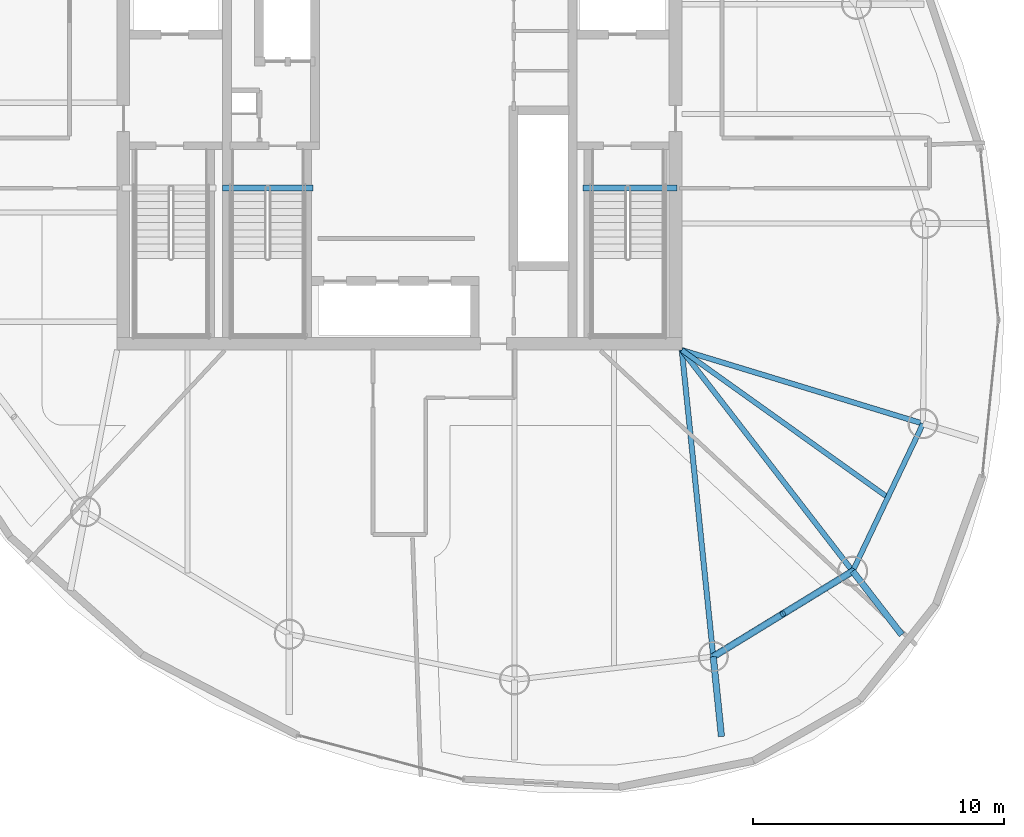
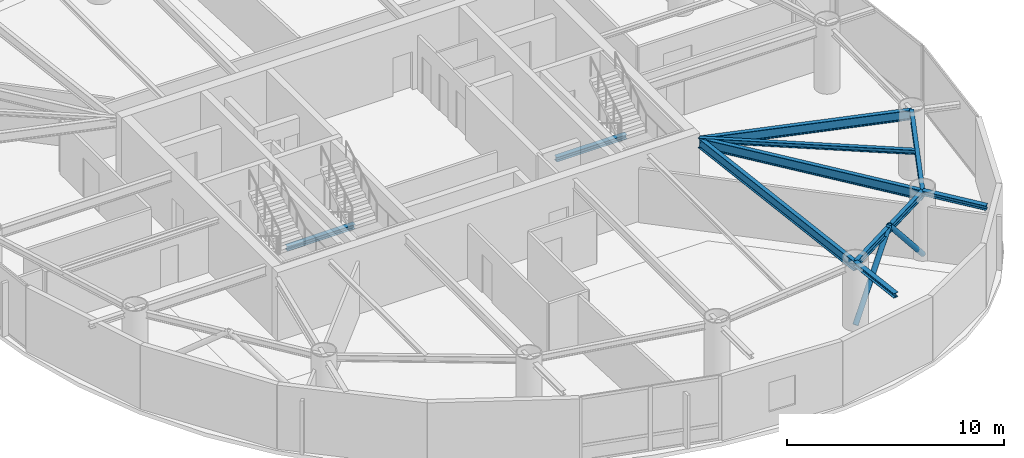
# One storey, part 6 of 20: 10 beams, 2 members.
"""IFC4 building model written with IfcOpenShell, lengths in metres."""

from ifc_helpers import new_model, si_unit, direction, frame, origin, origin_2d, place, context, subcontext, project, spatial, hollow_circle, i_section, extrude, material, material_profile, profile_set, type_object, element, save


model = new_model("IFC4")

# Units and contexts
model_context = context("Model", 3, precision=1e-05, world=origin(), true_north=direction((0.0, 1.0)))
body_context = subcontext(model_context, "Body", "Model", "MODEL_VIEW")
ifc_project = project(units=[si_unit("LENGTHUNIT", "METRE"), si_unit("AREAUNIT", "SQUARE_METRE"), si_unit("VOLUMEUNIT", "CUBIC_METRE"), si_unit("PLANEANGLEUNIT", "RADIAN"), si_unit("MASSUNIT", "GRAM", prefix="KILO")], contexts=[model_context])

# Site, building, storey
site_placement = place(None, origin())
site = spatial("IfcSite", under=ifc_project, at=site_placement, CompositionType="ELEMENT")
building_placement = place(site_placement, origin())
building = spatial("IfcBuilding", under=site, at=building_placement, Name="Bramvorn Convention Spire", CompositionType="ELEMENT")
storey_placement = place(building_placement, frame((0.0, 0.0, 228.949951171875)))
storey = spatial("IfcBuildingStorey", under=building, at=storey_placement, Name="L58", CompositionType="ELEMENT", Elevation=228.949951171875)

# Beams
ifc_material = material(Name="Steel CSA G40.21 Grade 350 (350W)", Category="steel")
ifc_material_profile_1 = material_profile(ifc_material, i_section(OverallWidth=0.201904296875, OverallDepth=0.2470703125, WebThickness=0.00732421875, FlangeThickness=0.010986328125, FilletRadius=0.011962890625, at=origin_2d()))
ifc_profile_set_1 = profile_set([ifc_material_profile_1], Name="Steel CSA G40.21 Grade 350 (350W) - W250X49")
beam_type_1 = type_object("IfcBeamType", Name="BM-W250X49", PredefinedType="JOIST", material=ifc_profile_set_1)
beam_1_placement = place(storey_placement, frame((49.25, 18.550048828125, 3.49658203125), z_axis=(0.813471895271, -0.581604225916, 0.0), x_axis=(0.581604225916, 0.813471895271, 0.0)))
element("IfcBeam", 1, at=beam_1_placement, inside=storey, type_object=beam_type_1, Name="L58 composite floor joist 01", PredefinedType="JOIST", context=body_context, shape_type="SweptSolid", body=[
    extrude(i_section(OverallWidth=0.201904296875, OverallDepth=0.2470703125, WebThickness=0.00732421875, FlangeThickness=0.010986328125, FilletRadius=0.011962890625, at=origin_2d()), origin(), (0.0, 0.0, 1.0), 10.093505859375),
])
ifc_material_profile_2 = material_profile(ifc_material, i_section(OverallWidth=0.25390625, OverallDepth=0.2529296875, WebThickness=0.008544921875, FlangeThickness=0.01416015625, FilletRadius=0.011962890625, at=origin_2d()))
ifc_profile_set_2 = profile_set([ifc_material_profile_2], Name="Steel CSA G40.21 Grade 350 (350W) - W250X73")
beam_type_2 = type_object("IfcBeamType", Name="BM-W250X73", PredefinedType="BEAM", material=ifc_profile_set_2)
beam_2_placement = place(storey_placement, frame((56.058349609375, 9.739990234375, 3.49365234375), z_axis=(0.611497441422, -0.791246408607, 0.0), x_axis=(0.791246408607, 0.611497441422, 0.0)))
element("IfcBeam", 2, at=beam_2_placement, inside=storey, type_object=beam_type_2, Name="L58 slab-edge cantilever tip beam MC01", PredefinedType="BEAM", context=body_context, shape_type="SweptSolid", body=[
    extrude(i_section(OverallWidth=0.25390625, OverallDepth=0.2529296875, WebThickness=0.008544921875, FlangeThickness=0.01416015625, FilletRadius=0.011962890625, at=origin_2d()), origin(), (0.0, 0.0, 1.0), 3.199951171875),
])
beam_3_placement = place(storey_placement, frame((50.50439453125, 6.336181640625, 3.49365234375), z_axis=(0.10223018875, -0.994760769486, 0.0), x_axis=(0.994760769486, 0.10223018875, 0.0)))
element("IfcBeam", 3, at=beam_3_placement, inside=storey, type_object=beam_type_2, Name="L58 slab-edge cantilever tip beam MC16", PredefinedType="BEAM", context=body_context, shape_type="SweptSolid", body=[
    extrude(i_section(OverallWidth=0.25390625, OverallDepth=0.2529296875, WebThickness=0.008544921875, FlangeThickness=0.01416015625, FilletRadius=0.011962890625, at=origin_2d()), origin(), (0.0, 0.0, 1.0), 3.2001953125),
])
beam_4_placement = place(storey_placement, frame((45.31005859375, 25.010009765625, -0.12646484375), z_axis=(1.0, 0.0, 0.0), x_axis=(0.0, 1.0, 0.0)))
element("IfcBeam", 4, at=beam_4_placement, inside=storey, type_object=beam_type_2, Name="L58 ST2 stair arrival header beam", PredefinedType="BEAM", context=body_context, shape_type="SweptSolid", body=[
    extrude(i_section(OverallWidth=0.25390625, OverallDepth=0.2529296875, WebThickness=0.008544921875, FlangeThickness=0.01416015625, FilletRadius=0.011962890625, at=origin_2d()), origin(), (0.0, 0.0, 1.0), 3.739990234375),
])
beam_5_placement = place(storey_placement, frame((30.949951171875, 25.010009765625, -0.12646484375), z_axis=(1.0, 0.0, 0.0), x_axis=(0.0, 1.0, 0.0)))
element("IfcBeam", 5, at=beam_5_placement, inside=storey, type_object=beam_type_2, Name="L58 ST3 stair arrival header beam", PredefinedType="BEAM", context=body_context, shape_type="SweptSolid", body=[
    extrude(i_section(OverallWidth=0.25390625, OverallDepth=0.2529296875, WebThickness=0.008544921875, FlangeThickness=0.01416015625, FilletRadius=0.011962890625, at=origin_2d()), origin(), (0.0, 0.0, 1.0), 3.610107421875),
])
ifc_material_profile_3 = material_profile(ifc_material, i_section(OverallWidth=0.205078125, OverallDepth=0.35400390625, WebThickness=0.009521484375, FlangeThickness=0.016845703125, FilletRadius=0.014892578125, at=origin_2d()))
ifc_profile_set_3 = profile_set([ifc_material_profile_3], Name="Steel CSA G40.21 Grade 350 (350W) - W360X79")
beam_type_3 = type_object("IfcBeamType", Name="BM-W360X79", PredefinedType="JOIST", material=ifc_profile_set_3)
beam_6_placement = place(storey_placement, frame((56.058349609375, 9.739990234375, 3.443115234375), z_axis=(0.430556138422, 0.902563799223, 0.0), x_axis=(-0.902563799223, 0.430556138422, 0.0)))
element("IfcBeam", 6, at=beam_6_placement, inside=storey, type_object=beam_type_3, Name="L58 mega-column ring beam 01", PredefinedType="JOIST", context=body_context, shape_type="SweptSolid", body=[
    extrude(i_section(OverallWidth=0.205078125, OverallDepth=0.35400390625, WebThickness=0.009521484375, FlangeThickness=0.016845703125, FilletRadius=0.014892578125, at=origin_2d()), origin(), (0.0, 0.0, 1.0), 6.51416015625),
])
beam_7_placement = place(storey_placement, frame((50.50439453125, 6.336181640625, 3.443115234375), z_axis=(0.852616873135, 0.522536570629, 0.0), x_axis=(-0.522536570629, 0.852616873135, 0.0)))
element("IfcBeam", 7, at=beam_7_placement, inside=storey, type_object=beam_type_3, Name="L58 mega-column ring beam 16", PredefinedType="JOIST", context=body_context, shape_type="SweptSolid", body=[
    extrude(i_section(OverallWidth=0.205078125, OverallDepth=0.35400390625, WebThickness=0.009521484375, FlangeThickness=0.016845703125, FilletRadius=0.014892578125, at=origin_2d()), origin(), (0.0, 0.0, 1.0), 6.513916015625),
])
ifc_material_profile_4 = material_profile(ifc_material, i_section(OverallWidth=0.2119140625, OverallDepth=0.5439453125, WebThickness=0.01318359375, FlangeThickness=0.021240234375, FilletRadius=0.01904296875, at=origin_2d()))
ifc_profile_set_4 = profile_set([ifc_material_profile_4], Name="Steel CSA G40.21 Grade 350 (350W) - W530X123")
beam_type_4 = type_object("IfcBeamType", Name="BM-W530X123", PredefinedType="BEAM", material=ifc_profile_set_4)
beam_8_placement = place(storey_placement, frame((49.25, 18.550048828125, 3.34814453125), z_axis=(0.611479951477, -0.791259925019, 0.0), x_axis=(0.791259925019, 0.611479951477, 0.0)))
element("IfcBeam", 8, at=beam_8_placement, inside=storey, type_object=beam_type_4, Name="L58 radial floor girder MC01", PredefinedType="BEAM", context=body_context, shape_type="SweptSolid", body=[
    extrude(i_section(OverallWidth=0.2119140625, OverallDepth=0.5439453125, WebThickness=0.01318359375, FlangeThickness=0.021240234375, FilletRadius=0.01904296875, at=origin_2d()), origin(), (0.0, 0.0, 1.0), 11.13427734375),
])
beam_9_placement = place(storey_placement, frame((49.25, 18.550048828125, 3.34814453125), z_axis=(0.95653637984, -0.291613021044, 0.0), x_axis=(0.291613021044, 0.95653637984, 0.0)))
element("IfcBeam", 9, at=beam_9_placement, inside=storey, type_object=beam_type_4, Name="L58 radial floor girder MC02", PredefinedType="BEAM", context=body_context, shape_type="SweptSolid", body=[
    extrude(i_section(OverallWidth=0.2119140625, OverallDepth=0.5439453125, WebThickness=0.01318359375, FlangeThickness=0.021240234375, FilletRadius=0.01904296875, at=origin_2d()), origin(), (0.0, 0.0, 1.0), 10.0498046875),
])
beam_10_placement = place(storey_placement, frame((49.25, 18.550048828125, 3.34814453125), z_axis=(0.10216509146, -0.994767457292, 0.0), x_axis=(0.994767457292, 0.10216509146, 0.0)))
element("IfcBeam", 10, at=beam_10_placement, inside=storey, type_object=beam_type_4, Name="L58 radial floor girder MC16", PredefinedType="BEAM", context=body_context, shape_type="SweptSolid", body=[
    extrude(i_section(OverallWidth=0.2119140625, OverallDepth=0.5439453125, WebThickness=0.01318359375, FlangeThickness=0.021240234375, FilletRadius=0.01904296875, at=origin_2d()), origin(), (0.0, 0.0, 1.0), 12.278076171875),
])

# Members
ifc_material_profile_5 = material_profile(ifc_material, hollow_circle(Radius=0.136474609375, WallThickness=0.0126953125, at=origin_2d()))
ifc_profile_set_5 = profile_set([ifc_material_profile_5], Name="Steel CSA G40.21 Grade 350 (350W) - CHS273X13")
member_type = type_object("IfcMemberType", Name="MBR-CHS273X13", PredefinedType="BRACE", material=ifc_profile_set_5)
for number, where, z_axis, x_axis, name in (
    (11, (50.50439453125, 6.336181640625, 0.0), (0.570281085842, 0.349488303244, 0.743395862933), (-0.522519873149, 0.852627106163, 0.0), "L58 perimeter Gothic lancet brace 16A"),
    (12, (56.058349609375, 9.739990234375, 0.0), (-0.570247254591, -0.349498295389, 0.743417117204), (0.522553268977, -0.852606639126, 0.0), "L58 perimeter Gothic lancet brace 16B"),
):
    element("IfcMember", number, at=place(storey_placement, frame(where, z_axis=z_axis, x_axis=x_axis)), inside=storey, type_object=member_type, Name=name, PredefinedType="BRACE", context=body_context, shape_type="SweptSolid", body=[
        extrude(hollow_circle(Radius=0.136474609375, WallThickness=0.0126953125, at=origin_2d()), origin(), (0.0, 0.0, 1.0), 4.86962890625),
    ])

save(model, "model.ifc")
